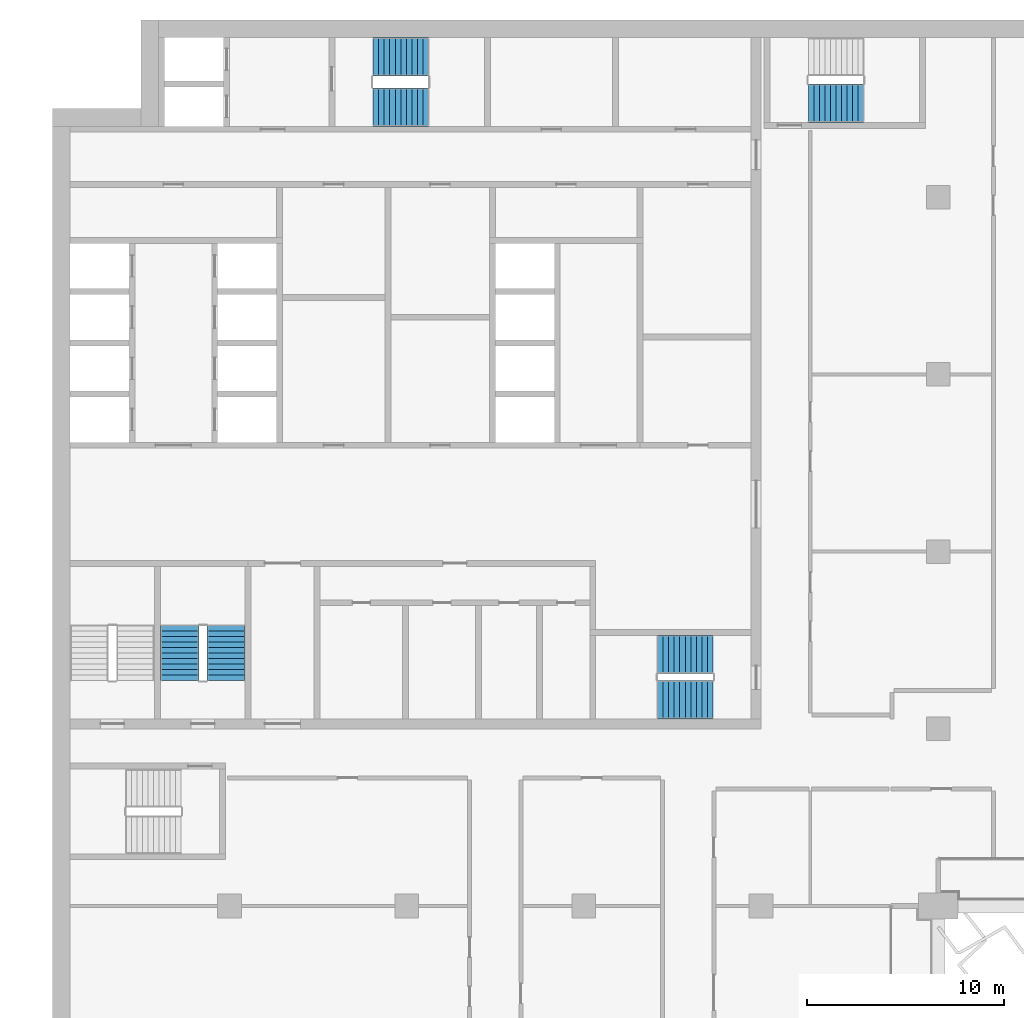
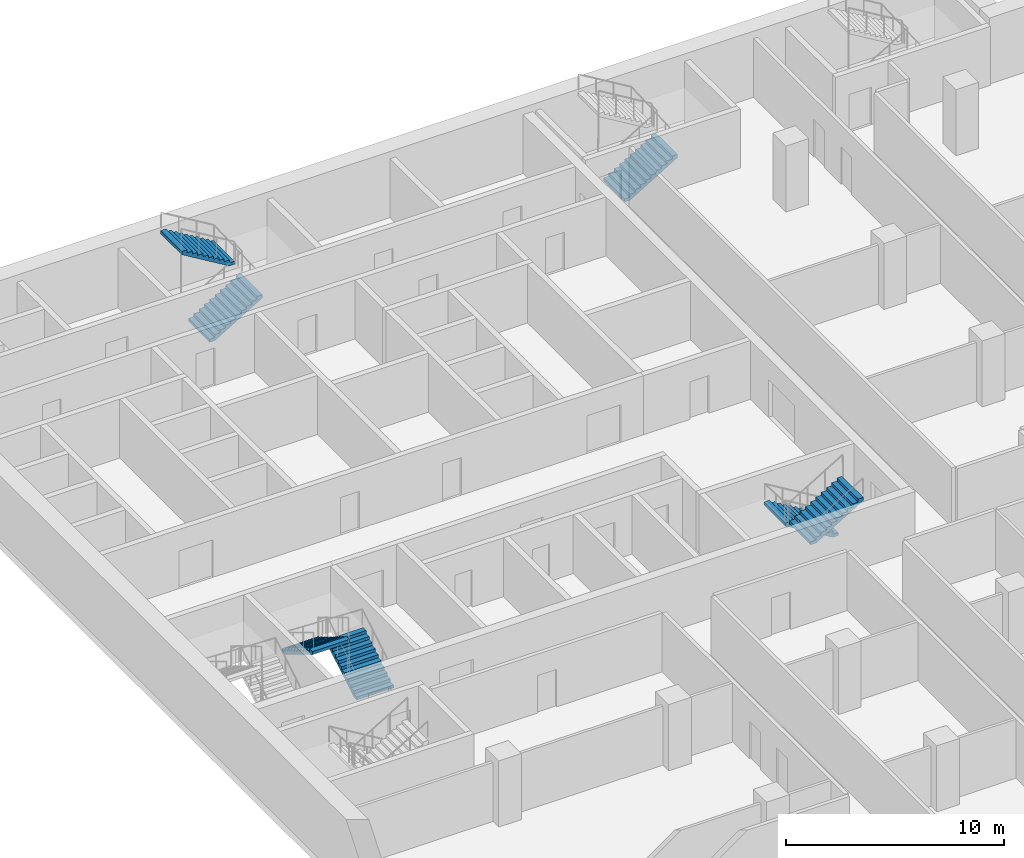
# One storey, part 17 of 23: 7 stair flights, 4 elements without a shape of their own.
"""IFC4 building model written with IfcOpenShell, lengths in metres."""

from ifc_helpers import new_model, si_unit, direction, frame, origin, place, context, subcontext, project, spatial, polyline, outline, extrude, material, type_object, element, aggregate, save


model = new_model("IFC4")

# Units and contexts
model_context = context("Model", 3, precision=1e-05, world=origin(), true_north=direction((0.0, 1.0)))
body_context = subcontext(model_context, "Body", "Model", "MODEL_VIEW")
ifc_project = project(units=[si_unit("LENGTHUNIT", "METRE"), si_unit("AREAUNIT", "SQUARE_METRE"), si_unit("VOLUMEUNIT", "CUBIC_METRE"), si_unit("PLANEANGLEUNIT", "RADIAN"), si_unit("MASSUNIT", "GRAM", prefix="KILO")], contexts=[model_context])

# Site, building, storey
site_placement = place(None, origin())
site = spatial("IfcSite", under=ifc_project, at=site_placement, CompositionType="ELEMENT")
building_placement = place(site_placement, origin())
building = spatial("IfcBuilding", under=site, at=building_placement, Name="Hunhe Ridgeline Campus", CompositionType="ELEMENT")
storey_placement = place(building_placement, frame((0.0, 0.0, 167.10009765625)))
storey = spatial("IfcBuildingStorey", under=building, at=storey_placement, Name="L42", CompositionType="ELEMENT", Elevation=167.10009765625)

# Stair, stair flights
ifc_material = material(Name="Concrete C40", Category="concrete")
stair_type = type_object("IfcStairType", Name="Reinforced concrete dog-leg stair 1950 Concrete C40", PredefinedType="HALF_TURN_STAIR", material=ifc_material)
stair_1_placement = place(storey_placement, origin())
stair_1 = element("IfcStair", 1, at=stair_1_placement, inside=storey, type_object=stair_type, Name="L42 S1", PredefinedType="HALF_TURN_STAIR")
stair_flight_type = type_object("IfcStairFlightType", Name="Reinforced concrete stair flight 1950 Concrete C40", PredefinedType="STRAIGHT", material=ifc_material)
stair_flight_1_placement = place(storey_placement, frame((16.300048828125, 94.574951171875, 0.0), z_axis=(0.0, 0.0, 1.0), x_axis=(1.0, 0.0, 0.0)))
stair_flight_1 = element("IfcStairFlight", 2, at=stair_flight_1_placement, type_object=stair_flight_type, Name="ST1 flight 1", NumberOfRisers=11, NumberOfTreads=10, PredefinedType="STRAIGHT", RiserHeight=0.168181818, TreadLength=0.28, context=body_context, shape_type="SweptSolid", body=[
    extrude(outline(polyline([(0.0, 0.0), (0.0, 0.168212890625), (0.280029296875, 0.168212890625), (0.280029296875, 0.33642578125), (0.56005859375, 0.33642578125), (0.56005859375, 0.504638671875), (0.840087890625, 0.504638671875), (0.840087890625, 0.672607421875), (1.1201171875, 0.672607421875), (1.1201171875, 0.8408203125), (1.39990234375, 0.8408203125), (1.39990234375, 1.009033203125), (1.679931640625, 1.009033203125), (1.679931640625, 1.17724609375), (1.9599609375, 1.17724609375), (1.9599609375, 1.345458984375), (2.239990234375, 1.345458984375), (2.239990234375, 1.513671875), (2.52001953125, 1.513671875), (2.52001953125, 1.681884765625), (2.800048828125, 1.681884765625), (2.800048828125, 1.85009765625), (2.800048828125, 1.5068359375), (0.291015625, 0.0), (0.0, 0.0)])), frame((0.0, 0.97509765625, 0.0), z_axis=(0.0, -1.0, 0.0), x_axis=(1.0, 0.0, 0.0)), (0.0, 0.0, 1.0), 1.949951171875),
    extrude(outline(polyline([(0.030029296875, 0.030029296875), (0.030029296875, 0.13818359375), (0.31005859375, 0.13818359375), (0.31005859375, 0.306396484375), (0.590087890625, 0.306396484375), (0.590087890625, 0.474609375), (0.8701171875, 0.474609375), (0.8701171875, 0.642578125), (1.14990234375, 0.642578125), (1.14990234375, 0.810791015625), (1.429931640625, 0.810791015625), (1.429931640625, 0.97900390625), (1.7099609375, 0.97900390625), (1.7099609375, 1.147216796875), (1.989990234375, 1.147216796875), (1.989990234375, 1.3154296875), (2.27001953125, 1.3154296875), (2.27001953125, 1.483642578125), (2.550048828125, 1.483642578125), (2.550048828125, 1.65185546875), (2.77001953125, 1.65185546875), (2.77001953125, 1.52392578125), (0.28271484375, 0.030029296875), (0.030029296875, 0.030029296875)])), frame((0.0, -0.070068359375, 0.0), z_axis=(0.0, -1.0, 0.0), x_axis=(1.0, 0.0, 0.0)), (0.0, 0.0, 1.0), 0.019775390625),
    extrude(outline(polyline([(0.030029296875, 0.030029296875), (0.030029296875, 0.13818359375), (0.31005859375, 0.13818359375), (0.31005859375, 0.306396484375), (0.590087890625, 0.306396484375), (0.590087890625, 0.474609375), (0.8701171875, 0.474609375), (0.8701171875, 0.642578125), (1.14990234375, 0.642578125), (1.14990234375, 0.810791015625), (1.429931640625, 0.810791015625), (1.429931640625, 0.97900390625), (1.7099609375, 0.97900390625), (1.7099609375, 1.147216796875), (1.989990234375, 1.147216796875), (1.989990234375, 1.3154296875), (2.27001953125, 1.3154296875), (2.27001953125, 1.483642578125), (2.550048828125, 1.483642578125), (2.550048828125, 1.65185546875), (2.77001953125, 1.65185546875), (2.77001953125, 1.52392578125), (0.28271484375, 0.030029296875), (0.030029296875, 0.030029296875)])), frame((0.0, 0.010009765625, 0.0), z_axis=(0.0, -1.0, 0.0), x_axis=(1.0, 0.0, 0.0)), (0.0, 0.0, 1.0), 0.019775390625),
    extrude(outline(polyline([(0.030029296875, 0.030029296875), (0.030029296875, 0.13818359375), (0.31005859375, 0.13818359375), (0.31005859375, 0.306396484375), (0.590087890625, 0.306396484375), (0.590087890625, 0.474609375), (0.8701171875, 0.474609375), (0.8701171875, 0.642578125), (1.14990234375, 0.642578125), (1.14990234375, 0.810791015625), (1.429931640625, 0.810791015625), (1.429931640625, 0.97900390625), (1.7099609375, 0.97900390625), (1.7099609375, 1.147216796875), (1.989990234375, 1.147216796875), (1.989990234375, 1.3154296875), (2.27001953125, 1.3154296875), (2.27001953125, 1.483642578125), (2.550048828125, 1.483642578125), (2.550048828125, 1.65185546875), (2.77001953125, 1.65185546875), (2.77001953125, 1.52392578125), (0.28271484375, 0.030029296875), (0.030029296875, 0.030029296875)])), frame((0.0, 0.090087890625, 0.0), z_axis=(0.0, -1.0, 0.0), x_axis=(1.0, 0.0, 0.0)), (0.0, 0.0, 1.0), 0.019775390625),
])
stair_flight_2_placement = place(storey_placement, frame((19.10009765625, 97.125, 1.849853515625), z_axis=(0.0, 0.0, 1.0), x_axis=(-1.0, 0.0, 0.0)))
stair_flight_2 = element("IfcStairFlight", 3, at=stair_flight_2_placement, type_object=stair_flight_type, Name="ST1 flight 2", NumberOfRisers=11, NumberOfTreads=10, PredefinedType="STRAIGHT", RiserHeight=0.168181818, TreadLength=0.28, context=body_context, shape_type="SweptSolid", body=[
    extrude(outline(polyline([(0.0, 0.0), (0.0, 0.168212890625), (0.280029296875, 0.168212890625), (0.280029296875, 0.33642578125), (0.56005859375, 0.33642578125), (0.56005859375, 0.504638671875), (0.840087890625, 0.504638671875), (0.840087890625, 0.672607421875), (1.1201171875, 0.672607421875), (1.1201171875, 0.8408203125), (1.39990234375, 0.8408203125), (1.39990234375, 1.009033203125), (1.679931640625, 1.009033203125), (1.679931640625, 1.17724609375), (1.9599609375, 1.17724609375), (1.9599609375, 1.345458984375), (2.239990234375, 1.345458984375), (2.239990234375, 1.513671875), (2.52001953125, 1.513671875), (2.52001953125, 1.681884765625), (2.800048828125, 1.681884765625), (2.800048828125, 1.85009765625), (2.800048828125, 1.5068359375), (0.291015625, 0.0), (0.0, 0.0)])), frame((0.0, 0.97509765625, 0.0), z_axis=(0.0, -1.0, 0.0), x_axis=(1.0, 0.0, 0.0)), (0.0, 0.0, 1.0), 1.949951171875),
    extrude(outline(polyline([(0.030029296875, 0.030029296875), (0.030029296875, 0.13818359375), (0.31005859375, 0.13818359375), (0.31005859375, 0.306396484375), (0.590087890625, 0.306396484375), (0.590087890625, 0.474609375), (0.8701171875, 0.474609375), (0.8701171875, 0.642578125), (1.14990234375, 0.642578125), (1.14990234375, 0.810791015625), (1.429931640625, 0.810791015625), (1.429931640625, 0.97900390625), (1.7099609375, 0.97900390625), (1.7099609375, 1.147216796875), (1.989990234375, 1.147216796875), (1.989990234375, 1.3154296875), (2.27001953125, 1.3154296875), (2.27001953125, 1.483642578125), (2.550048828125, 1.483642578125), (2.550048828125, 1.65185546875), (2.77001953125, 1.65185546875), (2.77001953125, 1.52392578125), (0.28271484375, 0.030029296875), (0.030029296875, 0.030029296875)])), frame((0.0, -0.070068359375, 0.0), z_axis=(0.0, -1.0, 0.0), x_axis=(1.0, 0.0, 0.0)), (0.0, 0.0, 1.0), 0.019775390625),
    extrude(outline(polyline([(0.030029296875, 0.030029296875), (0.030029296875, 0.13818359375), (0.31005859375, 0.13818359375), (0.31005859375, 0.306396484375), (0.590087890625, 0.306396484375), (0.590087890625, 0.474609375), (0.8701171875, 0.474609375), (0.8701171875, 0.642578125), (1.14990234375, 0.642578125), (1.14990234375, 0.810791015625), (1.429931640625, 0.810791015625), (1.429931640625, 0.97900390625), (1.7099609375, 0.97900390625), (1.7099609375, 1.147216796875), (1.989990234375, 1.147216796875), (1.989990234375, 1.3154296875), (2.27001953125, 1.3154296875), (2.27001953125, 1.483642578125), (2.550048828125, 1.483642578125), (2.550048828125, 1.65185546875), (2.77001953125, 1.65185546875), (2.77001953125, 1.52392578125), (0.28271484375, 0.030029296875), (0.030029296875, 0.030029296875)])), frame((0.0, 0.010009765625, 0.0), z_axis=(0.0, -1.0, 0.0), x_axis=(1.0, 0.0, 0.0)), (0.0, 0.0, 1.0), 0.019775390625),
    extrude(outline(polyline([(0.030029296875, 0.030029296875), (0.030029296875, 0.13818359375), (0.31005859375, 0.13818359375), (0.31005859375, 0.306396484375), (0.590087890625, 0.306396484375), (0.590087890625, 0.474609375), (0.8701171875, 0.474609375), (0.8701171875, 0.642578125), (1.14990234375, 0.642578125), (1.14990234375, 0.810791015625), (1.429931640625, 0.810791015625), (1.429931640625, 0.97900390625), (1.7099609375, 0.97900390625), (1.7099609375, 1.147216796875), (1.989990234375, 1.147216796875), (1.989990234375, 1.3154296875), (2.27001953125, 1.3154296875), (2.27001953125, 1.483642578125), (2.550048828125, 1.483642578125), (2.550048828125, 1.65185546875), (2.77001953125, 1.65185546875), (2.77001953125, 1.52392578125), (0.28271484375, 0.030029296875), (0.030029296875, 0.030029296875)])), frame((0.0, 0.090087890625, 0.0), z_axis=(0.0, -1.0, 0.0), x_axis=(1.0, 0.0, 0.0)), (0.0, 0.0, 1.0), 0.019775390625),
])
aggregate(stair_1, [stair_flight_1, stair_flight_2])

stair_2_placement = place(storey_placement, origin())
stair_2 = element("IfcStair", 4, at=stair_2_placement, inside=storey, type_object=stair_type, Name="L42 S2", PredefinedType="HALF_TURN_STAIR")
stair_flight_3_placement = place(storey_placement, frame((33.550048828125, 66.77490234375, 0.0), z_axis=(0.0, 0.0, 1.0), x_axis=(-1.0, 0.0, 0.0)))
stair_flight_3 = element("IfcStairFlight", 5, at=stair_flight_3_placement, type_object=stair_flight_type, Name="ST2 flight 1", NumberOfRisers=11, NumberOfTreads=10, PredefinedType="STRAIGHT", RiserHeight=0.168181818, TreadLength=0.28, context=body_context, shape_type="SweptSolid", body=[
    extrude(outline(polyline([(0.0, 0.0), (0.0, 0.168212890625), (0.280029296875, 0.168212890625), (0.280029296875, 0.33642578125), (0.56005859375, 0.33642578125), (0.56005859375, 0.504638671875), (0.840087890625, 0.504638671875), (0.840087890625, 0.672607421875), (1.1201171875, 0.672607421875), (1.1201171875, 0.8408203125), (1.39990234375, 0.8408203125), (1.39990234375, 1.009033203125), (1.679931640625, 1.009033203125), (1.679931640625, 1.17724609375), (1.9599609375, 1.17724609375), (1.9599609375, 1.345458984375), (2.239990234375, 1.345458984375), (2.239990234375, 1.513671875), (2.52001953125, 1.513671875), (2.52001953125, 1.681884765625), (2.800048828125, 1.681884765625), (2.800048828125, 1.85009765625), (2.800048828125, 1.5068359375), (0.291015625, 0.0), (0.0, 0.0)])), frame((0.0, 0.97509765625, 0.0), z_axis=(0.0, -1.0, 0.0), x_axis=(1.0, 0.0, 0.0)), (0.0, 0.0, 1.0), 1.949951171875),
    extrude(outline(polyline([(0.030029296875, 0.030029296875), (0.030029296875, 0.13818359375), (0.31005859375, 0.13818359375), (0.31005859375, 0.306396484375), (0.590087890625, 0.306396484375), (0.590087890625, 0.474609375), (0.8701171875, 0.474609375), (0.8701171875, 0.642578125), (1.14990234375, 0.642578125), (1.14990234375, 0.810791015625), (1.429931640625, 0.810791015625), (1.429931640625, 0.97900390625), (1.7099609375, 0.97900390625), (1.7099609375, 1.147216796875), (1.989990234375, 1.147216796875), (1.989990234375, 1.3154296875), (2.27001953125, 1.3154296875), (2.27001953125, 1.483642578125), (2.550048828125, 1.483642578125), (2.550048828125, 1.65185546875), (2.77001953125, 1.65185546875), (2.77001953125, 1.52392578125), (0.28271484375, 0.030029296875), (0.030029296875, 0.030029296875)])), frame((0.0, -0.070068359375, 0.0), z_axis=(0.0, -1.0, 0.0), x_axis=(1.0, 0.0, 0.0)), (0.0, 0.0, 1.0), 0.019775390625),
    extrude(outline(polyline([(0.030029296875, 0.030029296875), (0.030029296875, 0.13818359375), (0.31005859375, 0.13818359375), (0.31005859375, 0.306396484375), (0.590087890625, 0.306396484375), (0.590087890625, 0.474609375), (0.8701171875, 0.474609375), (0.8701171875, 0.642578125), (1.14990234375, 0.642578125), (1.14990234375, 0.810791015625), (1.429931640625, 0.810791015625), (1.429931640625, 0.97900390625), (1.7099609375, 0.97900390625), (1.7099609375, 1.147216796875), (1.989990234375, 1.147216796875), (1.989990234375, 1.3154296875), (2.27001953125, 1.3154296875), (2.27001953125, 1.483642578125), (2.550048828125, 1.483642578125), (2.550048828125, 1.65185546875), (2.77001953125, 1.65185546875), (2.77001953125, 1.52392578125), (0.28271484375, 0.030029296875), (0.030029296875, 0.030029296875)])), frame((0.0, 0.010009765625, 0.0), z_axis=(0.0, -1.0, 0.0), x_axis=(1.0, 0.0, 0.0)), (0.0, 0.0, 1.0), 0.019775390625),
    extrude(outline(polyline([(0.030029296875, 0.030029296875), (0.030029296875, 0.13818359375), (0.31005859375, 0.13818359375), (0.31005859375, 0.306396484375), (0.590087890625, 0.306396484375), (0.590087890625, 0.474609375), (0.8701171875, 0.474609375), (0.8701171875, 0.642578125), (1.14990234375, 0.642578125), (1.14990234375, 0.810791015625), (1.429931640625, 0.810791015625), (1.429931640625, 0.97900390625), (1.7099609375, 0.97900390625), (1.7099609375, 1.147216796875), (1.989990234375, 1.147216796875), (1.989990234375, 1.3154296875), (2.27001953125, 1.3154296875), (2.27001953125, 1.483642578125), (2.550048828125, 1.483642578125), (2.550048828125, 1.65185546875), (2.77001953125, 1.65185546875), (2.77001953125, 1.52392578125), (0.28271484375, 0.030029296875), (0.030029296875, 0.030029296875)])), frame((0.0, 0.090087890625, 0.0), z_axis=(0.0, -1.0, 0.0), x_axis=(1.0, 0.0, 0.0)), (0.0, 0.0, 1.0), 0.019775390625),
])
stair_flight_4_placement = place(storey_placement, frame((30.75, 64.47509765625, 1.849853515625), z_axis=(0.0, 0.0, 1.0), x_axis=(1.0, 0.0, 0.0)))
stair_flight_4 = element("IfcStairFlight", 6, at=stair_flight_4_placement, type_object=stair_flight_type, Name="ST2 flight 2", NumberOfRisers=11, NumberOfTreads=10, PredefinedType="STRAIGHT", RiserHeight=0.168181818, TreadLength=0.28, context=body_context, shape_type="SweptSolid", body=[
    extrude(outline(polyline([(0.0, 0.0), (0.0, 0.168212890625), (0.280029296875, 0.168212890625), (0.280029296875, 0.33642578125), (0.56005859375, 0.33642578125), (0.56005859375, 0.504638671875), (0.840087890625, 0.504638671875), (0.840087890625, 0.672607421875), (1.1201171875, 0.672607421875), (1.1201171875, 0.8408203125), (1.39990234375, 0.8408203125), (1.39990234375, 1.009033203125), (1.679931640625, 1.009033203125), (1.679931640625, 1.17724609375), (1.9599609375, 1.17724609375), (1.9599609375, 1.345458984375), (2.239990234375, 1.345458984375), (2.239990234375, 1.513671875), (2.52001953125, 1.513671875), (2.52001953125, 1.681884765625), (2.800048828125, 1.681884765625), (2.800048828125, 1.85009765625), (2.800048828125, 1.5068359375), (0.291015625, 0.0), (0.0, 0.0)])), frame((0.0, 0.97509765625, 0.0), z_axis=(0.0, -1.0, 0.0), x_axis=(1.0, 0.0, 0.0)), (0.0, 0.0, 1.0), 1.949951171875),
    extrude(outline(polyline([(0.030029296875, 0.030029296875), (0.030029296875, 0.13818359375), (0.31005859375, 0.13818359375), (0.31005859375, 0.306396484375), (0.590087890625, 0.306396484375), (0.590087890625, 0.474609375), (0.8701171875, 0.474609375), (0.8701171875, 0.642578125), (1.14990234375, 0.642578125), (1.14990234375, 0.810791015625), (1.429931640625, 0.810791015625), (1.429931640625, 0.97900390625), (1.7099609375, 0.97900390625), (1.7099609375, 1.147216796875), (1.989990234375, 1.147216796875), (1.989990234375, 1.3154296875), (2.27001953125, 1.3154296875), (2.27001953125, 1.483642578125), (2.550048828125, 1.483642578125), (2.550048828125, 1.65185546875), (2.77001953125, 1.65185546875), (2.77001953125, 1.52392578125), (0.28271484375, 0.030029296875), (0.030029296875, 0.030029296875)])), frame((0.0, -0.070068359375, 0.0), z_axis=(0.0, -1.0, 0.0), x_axis=(1.0, 0.0, 0.0)), (0.0, 0.0, 1.0), 0.019775390625),
    extrude(outline(polyline([(0.030029296875, 0.030029296875), (0.030029296875, 0.13818359375), (0.31005859375, 0.13818359375), (0.31005859375, 0.306396484375), (0.590087890625, 0.306396484375), (0.590087890625, 0.474609375), (0.8701171875, 0.474609375), (0.8701171875, 0.642578125), (1.14990234375, 0.642578125), (1.14990234375, 0.810791015625), (1.429931640625, 0.810791015625), (1.429931640625, 0.97900390625), (1.7099609375, 0.97900390625), (1.7099609375, 1.147216796875), (1.989990234375, 1.147216796875), (1.989990234375, 1.3154296875), (2.27001953125, 1.3154296875), (2.27001953125, 1.483642578125), (2.550048828125, 1.483642578125), (2.550048828125, 1.65185546875), (2.77001953125, 1.65185546875), (2.77001953125, 1.52392578125), (0.28271484375, 0.030029296875), (0.030029296875, 0.030029296875)])), frame((0.0, 0.010009765625, 0.0), z_axis=(0.0, -1.0, 0.0), x_axis=(1.0, 0.0, 0.0)), (0.0, 0.0, 1.0), 0.019775390625),
    extrude(outline(polyline([(0.030029296875, 0.030029296875), (0.030029296875, 0.13818359375), (0.31005859375, 0.13818359375), (0.31005859375, 0.306396484375), (0.590087890625, 0.306396484375), (0.590087890625, 0.474609375), (0.8701171875, 0.474609375), (0.8701171875, 0.642578125), (1.14990234375, 0.642578125), (1.14990234375, 0.810791015625), (1.429931640625, 0.810791015625), (1.429931640625, 0.97900390625), (1.7099609375, 0.97900390625), (1.7099609375, 1.147216796875), (1.989990234375, 1.147216796875), (1.989990234375, 1.3154296875), (2.27001953125, 1.3154296875), (2.27001953125, 1.483642578125), (2.550048828125, 1.483642578125), (2.550048828125, 1.65185546875), (2.77001953125, 1.65185546875), (2.77001953125, 1.52392578125), (0.28271484375, 0.030029296875), (0.030029296875, 0.030029296875)])), frame((0.0, 0.090087890625, 0.0), z_axis=(0.0, -1.0, 0.0), x_axis=(1.0, 0.0, 0.0)), (0.0, 0.0, 1.0), 0.019775390625),
])
aggregate(stair_2, [stair_flight_3, stair_flight_4])

stair_3_placement = place(storey_placement, origin())
stair_3 = element("IfcStair", 7, at=stair_3_placement, inside=storey, type_object=stair_type, Name="L42 S4", PredefinedType="HALF_TURN_STAIR")
stair_flight_5_placement = place(storey_placement, frame((8.824951171875, 65.449951171875, 0.0), z_axis=(0.0, 0.0, 1.0), x_axis=(0.0, 1.0, 0.0)))
stair_flight_5 = element("IfcStairFlight", 8, at=stair_flight_5_placement, type_object=stair_flight_type, Name="ST4 flight 1", NumberOfRisers=11, NumberOfTreads=10, PredefinedType="STRAIGHT", RiserHeight=0.168181818, TreadLength=0.28, context=body_context, shape_type="SweptSolid", body=[
    extrude(outline(polyline([(0.0, 0.0), (0.0, 0.168212890625), (0.280029296875, 0.168212890625), (0.280029296875, 0.33642578125), (0.56005859375, 0.33642578125), (0.56005859375, 0.504638671875), (0.840087890625, 0.504638671875), (0.840087890625, 0.672607421875), (1.1201171875, 0.672607421875), (1.1201171875, 0.8408203125), (1.39990234375, 0.8408203125), (1.39990234375, 1.009033203125), (1.679931640625, 1.009033203125), (1.679931640625, 1.17724609375), (1.9599609375, 1.17724609375), (1.9599609375, 1.345458984375), (2.239990234375, 1.345458984375), (2.239990234375, 1.513671875), (2.52001953125, 1.513671875), (2.52001953125, 1.681884765625), (2.800048828125, 1.681884765625), (2.800048828125, 1.85009765625), (2.800048828125, 1.5068359375), (0.291015625, 0.0), (0.0, 0.0)])), frame((0.0, 0.97509765625, 0.0), z_axis=(0.0, -1.0, 0.0), x_axis=(1.0, 0.0, 0.0)), (0.0, 0.0, 1.0), 1.949951171875),
    extrude(outline(polyline([(0.030029296875, 0.030029296875), (0.030029296875, 0.13818359375), (0.31005859375, 0.13818359375), (0.31005859375, 0.306396484375), (0.590087890625, 0.306396484375), (0.590087890625, 0.474609375), (0.8701171875, 0.474609375), (0.8701171875, 0.642578125), (1.14990234375, 0.642578125), (1.14990234375, 0.810791015625), (1.429931640625, 0.810791015625), (1.429931640625, 0.97900390625), (1.7099609375, 0.97900390625), (1.7099609375, 1.147216796875), (1.989990234375, 1.147216796875), (1.989990234375, 1.3154296875), (2.27001953125, 1.3154296875), (2.27001953125, 1.483642578125), (2.550048828125, 1.483642578125), (2.550048828125, 1.65185546875), (2.77001953125, 1.65185546875), (2.77001953125, 1.52392578125), (0.28271484375, 0.030029296875), (0.030029296875, 0.030029296875)])), frame((0.0, -0.070068359375, 0.0), z_axis=(0.0, -1.0, 0.0), x_axis=(1.0, 0.0, 0.0)), (0.0, 0.0, 1.0), 0.019775390625),
    extrude(outline(polyline([(0.030029296875, 0.030029296875), (0.030029296875, 0.13818359375), (0.31005859375, 0.13818359375), (0.31005859375, 0.306396484375), (0.590087890625, 0.306396484375), (0.590087890625, 0.474609375), (0.8701171875, 0.474609375), (0.8701171875, 0.642578125), (1.14990234375, 0.642578125), (1.14990234375, 0.810791015625), (1.429931640625, 0.810791015625), (1.429931640625, 0.97900390625), (1.7099609375, 0.97900390625), (1.7099609375, 1.147216796875), (1.989990234375, 1.147216796875), (1.989990234375, 1.3154296875), (2.27001953125, 1.3154296875), (2.27001953125, 1.483642578125), (2.550048828125, 1.483642578125), (2.550048828125, 1.65185546875), (2.77001953125, 1.65185546875), (2.77001953125, 1.52392578125), (0.28271484375, 0.030029296875), (0.030029296875, 0.030029296875)])), frame((0.0, 0.010009765625, 0.0), z_axis=(0.0, -1.0, 0.0), x_axis=(1.0, 0.0, 0.0)), (0.0, 0.0, 1.0), 0.019775390625),
    extrude(outline(polyline([(0.030029296875, 0.030029296875), (0.030029296875, 0.13818359375), (0.31005859375, 0.13818359375), (0.31005859375, 0.306396484375), (0.590087890625, 0.306396484375), (0.590087890625, 0.474609375), (0.8701171875, 0.474609375), (0.8701171875, 0.642578125), (1.14990234375, 0.642578125), (1.14990234375, 0.810791015625), (1.429931640625, 0.810791015625), (1.429931640625, 0.97900390625), (1.7099609375, 0.97900390625), (1.7099609375, 1.147216796875), (1.989990234375, 1.147216796875), (1.989990234375, 1.3154296875), (2.27001953125, 1.3154296875), (2.27001953125, 1.483642578125), (2.550048828125, 1.483642578125), (2.550048828125, 1.65185546875), (2.77001953125, 1.65185546875), (2.77001953125, 1.52392578125), (0.28271484375, 0.030029296875), (0.030029296875, 0.030029296875)])), frame((0.0, 0.090087890625, 0.0), z_axis=(0.0, -1.0, 0.0), x_axis=(1.0, 0.0, 0.0)), (0.0, 0.0, 1.0), 0.019775390625),
])
stair_flight_6_placement = place(storey_placement, frame((6.47509765625, 68.25, 1.849853515625), z_axis=(0.0, 0.0, 1.0), x_axis=(0.0, -1.0, 0.0)))
stair_flight_6 = element("IfcStairFlight", 9, at=stair_flight_6_placement, type_object=stair_flight_type, Name="ST4 flight 2", NumberOfRisers=11, NumberOfTreads=10, PredefinedType="STRAIGHT", RiserHeight=0.168181818, TreadLength=0.28, context=body_context, shape_type="SweptSolid", body=[
    extrude(outline(polyline([(0.0, 0.0), (0.0, 0.168212890625), (0.280029296875, 0.168212890625), (0.280029296875, 0.33642578125), (0.56005859375, 0.33642578125), (0.56005859375, 0.504638671875), (0.840087890625, 0.504638671875), (0.840087890625, 0.672607421875), (1.1201171875, 0.672607421875), (1.1201171875, 0.8408203125), (1.39990234375, 0.8408203125), (1.39990234375, 1.009033203125), (1.679931640625, 1.009033203125), (1.679931640625, 1.17724609375), (1.9599609375, 1.17724609375), (1.9599609375, 1.345458984375), (2.239990234375, 1.345458984375), (2.239990234375, 1.513671875), (2.52001953125, 1.513671875), (2.52001953125, 1.681884765625), (2.800048828125, 1.681884765625), (2.800048828125, 1.85009765625), (2.800048828125, 1.5068359375), (0.291015625, 0.0), (0.0, 0.0)])), frame((0.0, 0.97509765625, 0.0), z_axis=(0.0, -1.0, 0.0), x_axis=(1.0, 0.0, 0.0)), (0.0, 0.0, 1.0), 1.949951171875),
    extrude(outline(polyline([(0.030029296875, 0.030029296875), (0.030029296875, 0.13818359375), (0.31005859375, 0.13818359375), (0.31005859375, 0.306396484375), (0.590087890625, 0.306396484375), (0.590087890625, 0.474609375), (0.8701171875, 0.474609375), (0.8701171875, 0.642578125), (1.14990234375, 0.642578125), (1.14990234375, 0.810791015625), (1.429931640625, 0.810791015625), (1.429931640625, 0.97900390625), (1.7099609375, 0.97900390625), (1.7099609375, 1.147216796875), (1.989990234375, 1.147216796875), (1.989990234375, 1.3154296875), (2.27001953125, 1.3154296875), (2.27001953125, 1.483642578125), (2.550048828125, 1.483642578125), (2.550048828125, 1.65185546875), (2.77001953125, 1.65185546875), (2.77001953125, 1.52392578125), (0.28271484375, 0.030029296875), (0.030029296875, 0.030029296875)])), frame((0.0, -0.070068359375, 0.0), z_axis=(0.0, -1.0, 0.0), x_axis=(1.0, 0.0, 0.0)), (0.0, 0.0, 1.0), 0.019775390625),
    extrude(outline(polyline([(0.030029296875, 0.030029296875), (0.030029296875, 0.13818359375), (0.31005859375, 0.13818359375), (0.31005859375, 0.306396484375), (0.590087890625, 0.306396484375), (0.590087890625, 0.474609375), (0.8701171875, 0.474609375), (0.8701171875, 0.642578125), (1.14990234375, 0.642578125), (1.14990234375, 0.810791015625), (1.429931640625, 0.810791015625), (1.429931640625, 0.97900390625), (1.7099609375, 0.97900390625), (1.7099609375, 1.147216796875), (1.989990234375, 1.147216796875), (1.989990234375, 1.3154296875), (2.27001953125, 1.3154296875), (2.27001953125, 1.483642578125), (2.550048828125, 1.483642578125), (2.550048828125, 1.65185546875), (2.77001953125, 1.65185546875), (2.77001953125, 1.52392578125), (0.28271484375, 0.030029296875), (0.030029296875, 0.030029296875)])), frame((0.0, 0.010009765625, 0.0), z_axis=(0.0, -1.0, 0.0), x_axis=(1.0, 0.0, 0.0)), (0.0, 0.0, 1.0), 0.019775390625),
    extrude(outline(polyline([(0.030029296875, 0.030029296875), (0.030029296875, 0.13818359375), (0.31005859375, 0.13818359375), (0.31005859375, 0.306396484375), (0.590087890625, 0.306396484375), (0.590087890625, 0.474609375), (0.8701171875, 0.474609375), (0.8701171875, 0.642578125), (1.14990234375, 0.642578125), (1.14990234375, 0.810791015625), (1.429931640625, 0.810791015625), (1.429931640625, 0.97900390625), (1.7099609375, 0.97900390625), (1.7099609375, 1.147216796875), (1.989990234375, 1.147216796875), (1.989990234375, 1.3154296875), (2.27001953125, 1.3154296875), (2.27001953125, 1.483642578125), (2.550048828125, 1.483642578125), (2.550048828125, 1.65185546875), (2.77001953125, 1.65185546875), (2.77001953125, 1.52392578125), (0.28271484375, 0.030029296875), (0.030029296875, 0.030029296875)])), frame((0.0, 0.090087890625, 0.0), z_axis=(0.0, -1.0, 0.0), x_axis=(1.0, 0.0, 0.0)), (0.0, 0.0, 1.0), 0.019775390625),
])
aggregate(stair_3, [stair_flight_5, stair_flight_6])

# Stair, stair flight
stair_4_placement = place(storey_placement, origin())
stair_4 = element("IfcStair", 10, at=stair_4_placement, inside=storey, type_object=stair_type, Name="L42 E1", PredefinedType="HALF_TURN_STAIR")
stair_flight_7_placement = place(storey_placement, frame((38.39990234375, 94.77490234375, 0.0), z_axis=(0.0, 0.0, 1.0), x_axis=(1.0, 0.0, 0.0)))
stair_flight_7 = element("IfcStairFlight", 11, at=stair_flight_7_placement, type_object=stair_flight_type, Name="ST5 flight 1", NumberOfRisers=11, NumberOfTreads=10, PredefinedType="STRAIGHT", RiserHeight=0.168181818, TreadLength=0.28, context=body_context, shape_type="SweptSolid", body=[
    extrude(outline(polyline([(0.0, 0.0), (0.0, 0.168212890625), (0.280029296875, 0.168212890625), (0.280029296875, 0.33642578125), (0.56005859375, 0.33642578125), (0.56005859375, 0.504638671875), (0.840087890625, 0.504638671875), (0.840087890625, 0.672607421875), (1.1201171875, 0.672607421875), (1.1201171875, 0.8408203125), (1.39990234375, 0.8408203125), (1.39990234375, 1.009033203125), (1.679931640625, 1.009033203125), (1.679931640625, 1.17724609375), (1.9599609375, 1.17724609375), (1.9599609375, 1.345458984375), (2.239990234375, 1.345458984375), (2.239990234375, 1.513671875), (2.52001953125, 1.513671875), (2.52001953125, 1.681884765625), (2.800048828125, 1.681884765625), (2.800048828125, 1.85009765625), (2.800048828125, 1.5068359375), (0.291015625, 0.0), (0.0, 0.0)])), frame((0.0, 0.97509765625, 0.0), z_axis=(0.0, -1.0, 0.0), x_axis=(1.0, 0.0, 0.0)), (0.0, 0.0, 1.0), 1.949951171875),
    extrude(outline(polyline([(0.030029296875, 0.030029296875), (0.030029296875, 0.13818359375), (0.31005859375, 0.13818359375), (0.31005859375, 0.306396484375), (0.590087890625, 0.306396484375), (0.590087890625, 0.474609375), (0.8701171875, 0.474609375), (0.8701171875, 0.642578125), (1.14990234375, 0.642578125), (1.14990234375, 0.810791015625), (1.429931640625, 0.810791015625), (1.429931640625, 0.97900390625), (1.7099609375, 0.97900390625), (1.7099609375, 1.147216796875), (1.989990234375, 1.147216796875), (1.989990234375, 1.3154296875), (2.27001953125, 1.3154296875), (2.27001953125, 1.483642578125), (2.550048828125, 1.483642578125), (2.550048828125, 1.65185546875), (2.77001953125, 1.65185546875), (2.77001953125, 1.52392578125), (0.28271484375, 0.030029296875), (0.030029296875, 0.030029296875)])), frame((0.0, -0.070068359375, 0.0), z_axis=(0.0, -1.0, 0.0), x_axis=(1.0, 0.0, 0.0)), (0.0, 0.0, 1.0), 0.019775390625),
    extrude(outline(polyline([(0.030029296875, 0.030029296875), (0.030029296875, 0.13818359375), (0.31005859375, 0.13818359375), (0.31005859375, 0.306396484375), (0.590087890625, 0.306396484375), (0.590087890625, 0.474609375), (0.8701171875, 0.474609375), (0.8701171875, 0.642578125), (1.14990234375, 0.642578125), (1.14990234375, 0.810791015625), (1.429931640625, 0.810791015625), (1.429931640625, 0.97900390625), (1.7099609375, 0.97900390625), (1.7099609375, 1.147216796875), (1.989990234375, 1.147216796875), (1.989990234375, 1.3154296875), (2.27001953125, 1.3154296875), (2.27001953125, 1.483642578125), (2.550048828125, 1.483642578125), (2.550048828125, 1.65185546875), (2.77001953125, 1.65185546875), (2.77001953125, 1.52392578125), (0.28271484375, 0.030029296875), (0.030029296875, 0.030029296875)])), frame((0.0, 0.010009765625, 0.0), z_axis=(0.0, -1.0, 0.0), x_axis=(1.0, 0.0, 0.0)), (0.0, 0.0, 1.0), 0.019775390625),
    extrude(outline(polyline([(0.030029296875, 0.030029296875), (0.030029296875, 0.13818359375), (0.31005859375, 0.13818359375), (0.31005859375, 0.306396484375), (0.590087890625, 0.306396484375), (0.590087890625, 0.474609375), (0.8701171875, 0.474609375), (0.8701171875, 0.642578125), (1.14990234375, 0.642578125), (1.14990234375, 0.810791015625), (1.429931640625, 0.810791015625), (1.429931640625, 0.97900390625), (1.7099609375, 0.97900390625), (1.7099609375, 1.147216796875), (1.989990234375, 1.147216796875), (1.989990234375, 1.3154296875), (2.27001953125, 1.3154296875), (2.27001953125, 1.483642578125), (2.550048828125, 1.483642578125), (2.550048828125, 1.65185546875), (2.77001953125, 1.65185546875), (2.77001953125, 1.52392578125), (0.28271484375, 0.030029296875), (0.030029296875, 0.030029296875)])), frame((0.0, 0.090087890625, 0.0), z_axis=(0.0, -1.0, 0.0), x_axis=(1.0, 0.0, 0.0)), (0.0, 0.0, 1.0), 0.019775390625),
])
aggregate(stair_4, [stair_flight_7])

save(model, "model.ifc")
